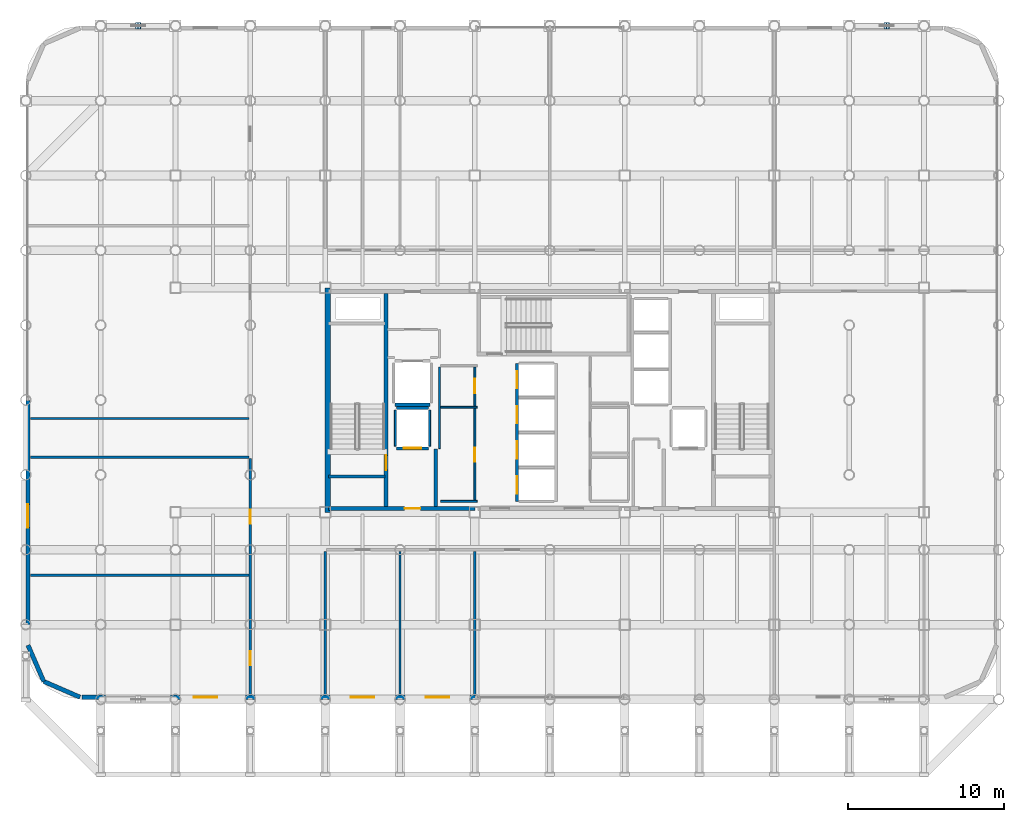
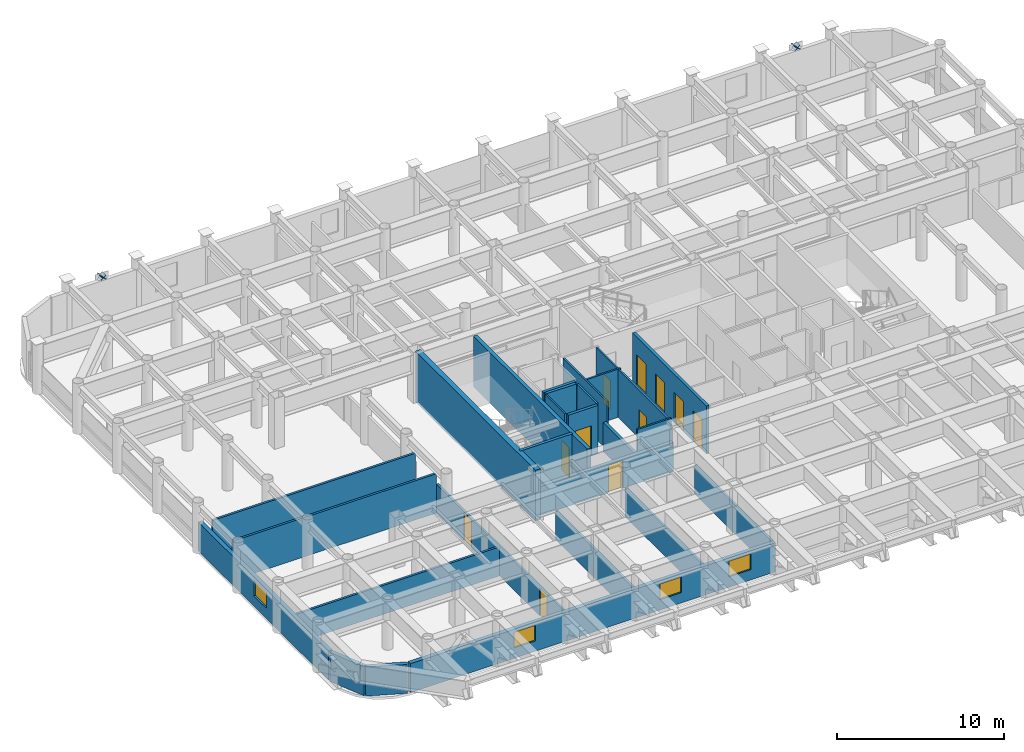
# One storey, part 20 of 24: 26 walls, 11 doors, 4 plates, 4 windows, 15 openings.
"""IFC4 building model written with IfcOpenShell, lengths in metres."""

from ifc_helpers import new_model, si_unit, direction, frame, frame_2d, origin, place, context, subcontext, project, spatial, polyline, rectangle, outline, extrude, material, layer, layer_set, type_object, element, fill, save


model = new_model("IFC4")

# Units and contexts
model_context = context("Model", 3, precision=1e-05, world=origin(), true_north=direction((0.0, 1.0)))
body_context = subcontext(model_context, "Body", "Model", "MODEL_VIEW")
ifc_project = project(units=[si_unit("LENGTHUNIT", "METRE"), si_unit("AREAUNIT", "SQUARE_METRE"), si_unit("VOLUMEUNIT", "CUBIC_METRE"), si_unit("PLANEANGLEUNIT", "RADIAN"), si_unit("MASSUNIT", "GRAM", prefix="KILO")], contexts=[model_context])

# Site, building, storey
site_placement = place(None, origin())
site = spatial("IfcSite", under=ifc_project, at=site_placement, CompositionType="ELEMENT")
building_placement = place(site_placement, origin())
building = spatial("IfcBuilding", under=site, at=building_placement, Name="Kallvorn Hotel Tower", CompositionType="ELEMENT")
storey_placement = place(building_placement, frame((0.0, 0.0, 150.699951171875)))
storey = spatial("IfcBuildingStorey", under=building, at=storey_placement, Name="L37", CompositionType="ELEMENT", Elevation=150.699951171875)

# Plates
ifc_material_1 = material(Name="Structural steel S355JR", Category="steel")
ifc_layer_1 = layer(ifc_material_1, 0.030029296875)
ifc_layer_set_1 = layer_set([ifc_layer_1], Name="PLT_CAP_30")
plate_type = type_object("IfcPlateType", Name="PLT_CAP_30", PredefinedType="SHEET", material=ifc_layer_set_1)
plate_1_placement = place(storey_placement, frame((-26.227294921875, 23.7822265625, 2.876708984375), z_axis=(0.646720691081, 0.0, 0.762726915565), x_axis=(0.0, 1.0, 0.0)))
element("IfcPlate", 1, at=plate_1_placement, inside=storey, type_object=plate_type, Name="EXO-L37-N1A End Cap Plate B", PredefinedType="SHEET", context=body_context, shape_type="SweptSolid", body=[
    extrude(outline(polyline([(0.0, 0.0), (0.435546875, 0.0), (0.435546875, 0.4356413597636253), (0.0, 0.4356413597636253), (0.0, 0.0)])), origin(), (0.0, 0.0, -1.0), 0.030029296875),
])
plate_2_placement = place(storey_placement, frame((-26.572509765625, 24.2177734375, 2.876708984375), z_axis=(-0.646997204148, 0.0, 0.762492372306), x_axis=(0.0, -1.0, 0.0)))
element("IfcPlate", 2, at=plate_2_placement, inside=storey, type_object=plate_type, Name="EXO-L37-N1B End Cap Plate B", PredefinedType="SHEET", context=body_context, shape_type="SweptSolid", body=[
    extrude(outline(polyline([(0.0, 0.0), (0.435546875, 0.0), (0.435546875, 0.43545517576240456), (0.0, 0.43545517576240456), (0.0, 0.0)])), origin(), (0.0, 0.0, -1.0), 0.030029296875),
])
plate_3_placement = place(storey_placement, frame((21.772705078125, 23.7822265625, 2.876708984375), z_axis=(0.646720691081, 0.0, 0.762726915565), x_axis=(0.0, 1.0, 0.0)))
element("IfcPlate", 3, at=plate_3_placement, inside=storey, type_object=plate_type, Name="EXO-L37-N2A End Cap Plate B", PredefinedType="SHEET", context=body_context, shape_type="SweptSolid", body=[
    extrude(outline(polyline([(0.0, 0.0), (0.435546875, 0.0), (0.435546875, 0.4356413597636253), (0.0, 0.4356413597636253), (0.0, 0.0)])), origin(), (0.0, 0.0, -1.0), 0.030029296875),
])
plate_4_placement = place(storey_placement, frame((21.427490234375, 24.2177734375, 2.876708984375), z_axis=(-0.646997204148, 0.0, 0.762492372306), x_axis=(0.0, -1.0, 0.0)))
element("IfcPlate", 4, at=plate_4_placement, inside=storey, type_object=plate_type, Name="EXO-L37-N2B End Cap Plate B", PredefinedType="SHEET", context=body_context, shape_type="SweptSolid", body=[
    extrude(outline(polyline([(0.0, 0.0), (0.435546875, 0.0), (0.435546875, 0.43545517576240456), (0.0, 0.43545517576240456), (0.0, 0.0)])), origin(), (0.0, 0.0, -1.0), 0.030029296875),
])

# Walls
ifc_material_2 = material(Name="Concrete C50/60", Category="concrete")
ifc_layer_2 = layer(ifc_material_2, 0.35009765625)
ifc_layer_set_2 = layer_set([ifc_layer_2], Name="WL_CORE_350")
wall_type_1 = type_object("IfcWallType", Name="WL_CORE_350", PredefinedType="SHEAR", material=ifc_layer_set_2)
wall_1_placement = place(storey_placement, frame((-14.239990234375, -7.199951171875, -0.179931640625), z_axis=(0.0, 0.0, 1.0), x_axis=(0.0, 1.0, 0.0)))
element("IfcWall", 5, at=wall_1_placement, inside=storey, type_object=wall_type_1, Name="L37 Core West Shear Wall", PredefinedType="SHEAR", context=body_context, shape_type="SweptSolid", body=[
    extrude(rectangle(XDim=14.39990234375, YDim=0.35009765625, at=frame_2d((7.199951171875, 0.0))), origin(), (0.0, 0.0, 1.0), 3.699951171875),
])
ifc_material_3 = material(Name="Precast basalt-clad insulated concrete wall C40/50", Category="masonry")
ifc_layer_3 = layer(ifc_material_3, 0.280029296875)
ifc_layer_set_3 = layer_set([ifc_layer_3], Name="WL_EXT_LOGGIA_280")
wall_type_2 = type_object("IfcWallType", Name="WL_EXT_LOGGIA_280", PredefinedType="SOLIDWALL", material=ifc_layer_set_3)
wall_2_placement = place(storey_placement, frame((-33.4580078125, -15.720703125, 0.0), z_axis=(0.0, 0.0, 1.0), x_axis=(0.398792985289, -0.917040977756, 0.0)))
element("IfcWall", 6, at=wall_2_placement, inside=storey, type_object=wall_type_2, Name="L37 Rounded Corner Exterior Wall SW1", PredefinedType="SOLIDWALL", context=body_context, shape_type="SweptSolid", body=[
    extrude(rectangle(XDim=2.536376953125, YDim=0.280029296875, at=frame_2d((1.26806640625, 0.0))), origin(), (0.0, 0.0, 1.0), 2.1201171875),
])
wall_3_placement = place(storey_placement, frame((-32.446533203125, -18.046630859375, 0.0), z_axis=(0.0, 0.0, 1.0), x_axis=(0.917060872934, -0.398747232384, 0.0)))
element("IfcWall", 7, at=wall_3_placement, inside=storey, type_object=wall_type_2, Name="L37 Rounded Corner Exterior Wall SW2", PredefinedType="SOLIDWALL", context=body_context, shape_type="SweptSolid", body=[
    extrude(rectangle(XDim=2.5361328125, YDim=0.280029296875, at=frame_2d((1.26806640625, 0.0))), origin(), (0.0, 0.0, 1.0), 2.1201171875),
])

# Wall, openings, windows
wall_4_placement = place(storey_placement, frame((-30.0, -19.06005859375, 0.0), z_axis=(0.0, 0.0, 1.0), x_axis=(1.0, 0.0, 0.0)))
wall_4 = element("IfcWall", 8, at=wall_4_placement, inside=storey, type_object=wall_type_2, Name="L37 Exterior Envelope Wall EW-L37-SW", PredefinedType="SOLIDWALL", context=body_context, shape_type="SweptSolid", body=[
    extrude(rectangle(XDim=25.25, YDim=0.280029296875, at=frame_2d((12.625, 0.0))), origin(), (0.0, 0.0, 1.0), 2.1201171875),
])
opening_1_placement = place(wall_4_placement, frame((7.1630859375, 0.0, 0.75)))
opening_1 = element("IfcOpeningElement", 9, at=opening_1_placement, cuts=wall_4, Name="Opening W05A", PredefinedType="OPENING", context=body_context, shape_type="SweptSolid", body=[
    extrude(rectangle(XDim=1.5, YDim=1.14990234375, at=frame_2d((0.75, 0.574951171875))), frame((0.0, 0.155029296875, 0.0), z_axis=(0.0, -1.0, 0.0), x_axis=(1.0, 0.0, 0.0)), (0.0, 0.0, 1.0), 0.31005859375),
])
opening_2_placement = place(wall_4_placement, frame((17.25, 0.0, 0.75)))
opening_2 = element("IfcOpeningElement", 10, at=opening_2_placement, cuts=wall_4, Name="Opening W05A", PredefinedType="OPENING", context=body_context, shape_type="SweptSolid", body=[
    extrude(rectangle(XDim=1.5, YDim=1.14990234375, at=frame_2d((0.75, 0.574951171875))), frame((0.0, 0.155029296875, 0.0), z_axis=(0.0, -1.0, 0.0), x_axis=(1.0, 0.0, 0.0)), (0.0, 0.0, 1.0), 0.31005859375),
])
opening_3_placement = place(wall_4_placement, frame((22.050048828125, 0.0, 0.75)))
opening_3 = element("IfcOpeningElement", 11, at=opening_3_placement, cuts=wall_4, Name="Opening W05A", PredefinedType="OPENING", context=body_context, shape_type="SweptSolid", body=[
    extrude(rectangle(XDim=1.5, YDim=1.14990234375, at=frame_2d((0.75, 0.574951171875))), frame((0.0, 0.155029296875, 0.0), z_axis=(0.0, -1.0, 0.0), x_axis=(1.0, 0.0, 0.0)), (0.0, 0.0, 1.0), 0.31005859375),
])
ifc_material_4 = material(Name="Double-glazed low-e solar-control dark glass", Category="glass")
window_type = type_object("IfcWindowType", Name="WN_HTL_1500x1150", PartitioningType="SINGLE_PANEL", PredefinedType="WINDOW", material=ifc_material_4)
window_1_placement = place(opening_1_placement, origin())
window_1 = element("IfcWindow", 12, at=window_1_placement, inside=storey, type_object=window_type, Name="L37 Guestroom Exterior Window 01", OverallHeight=1.14990234375, OverallWidth=1.5, PartitioningType="SINGLE_PANEL", PredefinedType="WINDOW", context=body_context, shape_type="SweptSolid", body=[
    extrude(rectangle(XDim=1.5, YDim=1.14990234375, at=frame_2d((0.75, 0.574951171875))), frame((0.0, 0.030029296875, 0.0), z_axis=(0.0, -1.0, 0.0), x_axis=(1.0, 0.0, 0.0)), (0.0, 0.0, 1.0), 0.06005859375),
])
fill(opening_1, window_1)
window_2_placement = place(opening_2_placement, origin())
window_2 = element("IfcWindow", 13, at=window_2_placement, inside=storey, type_object=window_type, Name="L37 Guestroom Exterior Window 06", OverallHeight=1.14990234375, OverallWidth=1.5, PartitioningType="SINGLE_PANEL", PredefinedType="WINDOW", context=body_context, shape_type="SweptSolid", body=[
    extrude(rectangle(XDim=1.5, YDim=1.14990234375, at=frame_2d((0.75, 0.574951171875))), frame((0.0, 0.030029296875, 0.0), z_axis=(0.0, -1.0, 0.0), x_axis=(1.0, 0.0, 0.0)), (0.0, 0.0, 1.0), 0.06005859375),
])
fill(opening_2, window_2)
window_3_placement = place(opening_3_placement, origin())
window_3 = element("IfcWindow", 14, at=window_3_placement, inside=storey, type_object=window_type, Name="L37 Guestroom Exterior Window 07", OverallHeight=1.14990234375, OverallWidth=1.5, PartitioningType="SINGLE_PANEL", PredefinedType="WINDOW", context=body_context, shape_type="SweptSolid", body=[
    extrude(rectangle(XDim=1.5, YDim=1.14990234375, at=frame_2d((0.75, 0.574951171875))), frame((0.0, 0.030029296875, 0.0), z_axis=(0.0, -1.0, 0.0), x_axis=(1.0, 0.0, 0.0)), (0.0, 0.0, 1.0), 0.06005859375),
])
fill(opening_3, window_3)

# Wall, opening, window
wall_5_placement = place(storey_placement, frame((-33.4599609375, -15.60009765625, 0.0), z_axis=(0.0, 0.0, 1.0), x_axis=(0.0, 1.0, 0.0)))
wall_5 = element("IfcWall", 15, at=wall_5_placement, inside=storey, type_object=wall_type_2, Name="L37 Exterior Envelope Wall EW-L37-WS", PredefinedType="SOLIDWALL", context=body_context, shape_type="SweptSolid", body=[
    extrude(rectangle(XDim=15.580078125, YDim=0.280029296875, at=frame_2d((7.7900390625, 0.0))), origin(), (0.0, 0.0, 1.0), 2.1201171875),
])
opening_4_placement = place(wall_5_placement, frame((7.412109375, 0.0, 0.75)))
opening_4 = element("IfcOpeningElement", 16, at=opening_4_placement, cuts=wall_5, Name="Opening W05A", PredefinedType="OPENING", context=body_context, shape_type="SweptSolid", body=[
    extrude(rectangle(XDim=1.5, YDim=1.14990234375, at=frame_2d((0.75, 0.574951171875))), frame((0.0, 0.155029296875, 0.0), z_axis=(0.0, -1.0, 0.0), x_axis=(1.0, 0.0, 0.0)), (0.0, 0.0, 1.0), 0.31005859375),
])
window_4_placement = place(opening_4_placement, origin())
window_4 = element("IfcWindow", 17, at=window_4_placement, inside=storey, type_object=window_type, Name="L37 Flank Wing Window 02", OverallHeight=1.14990234375, OverallWidth=1.5, PartitioningType="SINGLE_PANEL", PredefinedType="WINDOW", context=body_context, shape_type="SweptSolid", body=[
    extrude(rectangle(XDim=1.5, YDim=1.14990234375, at=frame_2d((0.75, 0.574951171875))), frame((0.0, 0.030029296875, 0.0), z_axis=(0.0, -1.0, 0.0), x_axis=(1.0, 0.0, 0.0)), (0.0, 0.0, 1.0), 0.06005859375),
])
fill(opening_4, window_4)

# Walls
ifc_material_5 = material(Name="Concrete C40/50", Category="concrete")
ifc_layer_4 = layer(ifc_material_5, 0.219970703125)
ifc_layer_set_4 = layer_set([ifc_layer_4], Name="WL_FFL_220")
wall_type_3 = type_object("IfcWallType", Name="WL_FFL_220", PredefinedType="SOLIDWALL", material=ifc_layer_set_4)
wall_6_placement = place(storey_placement, frame((-7.300048828125, -6.820068359375, 0.0), z_axis=(0.0, 0.0, 1.0), x_axis=(0.0, 1.0, 0.0)))
element("IfcWall", 18, at=wall_6_placement, inside=storey, type_object=wall_type_3, Name="L37 Firefighting Lobby West Divider Wall", PredefinedType="SOLIDWALL", context=body_context, shape_type="SweptSolid", body=[
    extrude(rectangle(XDim=3.670166015625, YDim=0.219970703125, at=frame_2d((1.8349609375, 0.0))), origin(), (0.0, 0.0, 1.0), 2.1201171875),
])
ifc_material_6 = material(Name="Concrete C40/50", Category="concrete")
ifc_layer_5 = layer(ifc_material_6, 0.199951171875)
ifc_layer_set_5 = layer_set([ifc_layer_5], Name="WL_HOIST_200")
wall_type_4 = type_object("IfcWallType", Name="WL_HOIST_200", PredefinedType="SOLIDWALL", material=ifc_layer_set_5)
wall_7_placement = place(storey_placement, frame((-14.199951171875, -4.89990234375, -0.179931640625), z_axis=(0.0, 0.0, 1.0), x_axis=(1.0, 0.0, 0.0)))
element("IfcWall", 19, at=wall_7_placement, inside=storey, type_object=wall_type_4, Name="L37 Stair ST1 South Wall", PredefinedType="SOLIDWALL", context=body_context, shape_type="SweptSolid", body=[
    extrude(rectangle(XDim=3.64990234375, YDim=0.199951171875, at=frame_2d((1.824951171875, 0.0))), origin(), (0.0, 0.0, 1.0), 3.699951171875),
])

# Wall, openings, doors
wall_8_placement = place(storey_placement, frame((-2.10009765625, -6.5, 0.0), z_axis=(0.0, 0.0, 1.0), x_axis=(0.0, 1.0, 0.0)))
wall_8 = element("IfcWall", 20, at=wall_8_placement, inside=storey, type_object=wall_type_4, Name="L37 Lift Bank B2 Landing Wall", PredefinedType="SOLIDWALL", context=body_context, shape_type="SweptSolid", body=[
    extrude(rectangle(XDim=8.85009765625, YDim=0.199951171875, at=frame_2d((4.425048828125, 0.0))), origin(), (0.0, 0.0, 1.0), 3.52001953125),
])
opening_5_placement = place(wall_8_placement, frame((0.5, 0.0, 0.0)))
opening_5 = element("IfcOpeningElement", 21, at=opening_5_placement, cuts=wall_8, Name="Opening LD-PL-05", PredefinedType="OPENING", context=body_context, shape_type="SweptSolid", body=[
    extrude(rectangle(XDim=1.10009765625, YDim=2.199951171875, at=frame_2d((0.550048828125, 1.10009765625))), frame((0.0, 0.114990234375, 0.0), z_axis=(0.0, -1.0, 0.0), x_axis=(1.0, 0.0, 0.0)), (0.0, 0.0, 1.0), 0.22998046875),
])
opening_6_placement = place(wall_8_placement, frame((2.75, 0.0, 0.0)))
opening_6 = element("IfcOpeningElement", 22, at=opening_6_placement, cuts=wall_8, Name="Opening LD-PL-06", PredefinedType="OPENING", context=body_context, shape_type="SweptSolid", body=[
    extrude(rectangle(XDim=1.10009765625, YDim=2.199951171875, at=frame_2d((0.550048828125, 1.10009765625))), frame((0.0, 0.114990234375, 0.0), z_axis=(0.0, -1.0, 0.0), x_axis=(1.0, 0.0, 0.0)), (0.0, 0.0, 1.0), 0.22998046875),
])
opening_7_placement = place(wall_8_placement, frame((5.0, 0.0, 0.0)))
opening_7 = element("IfcOpeningElement", 23, at=opening_7_placement, cuts=wall_8, Name="Opening LD-PL-07", PredefinedType="OPENING", context=body_context, shape_type="SweptSolid", body=[
    extrude(rectangle(XDim=1.10009765625, YDim=2.199951171875, at=frame_2d((0.550048828125, 1.10009765625))), frame((0.0, 0.114990234375, 0.0), z_axis=(0.0, -1.0, 0.0), x_axis=(1.0, 0.0, 0.0)), (0.0, 0.0, 1.0), 0.22998046875),
])
opening_8_placement = place(wall_8_placement, frame((7.25, 0.0, 0.0)))
opening_8 = element("IfcOpeningElement", 24, at=opening_8_placement, cuts=wall_8, Name="Opening LD-PL-08", PredefinedType="OPENING", context=body_context, shape_type="SweptSolid", body=[
    extrude(rectangle(XDim=1.10009765625, YDim=2.199951171875, at=frame_2d((0.550048828125, 1.10009765625))), frame((0.0, 0.114990234375, 0.0), z_axis=(0.0, -1.0, 0.0), x_axis=(1.0, 0.0, 0.0)), (0.0, 0.0, 1.0), 0.22998046875),
])
ifc_material_7 = material(Name="Brushed stainless-steel automatic sliding lift landing door", Category="steel")
door_type_1 = type_object("IfcDoorType", Name="LD_PASS_1100x2200", OperationType="SLIDING_TO_LEFT", PredefinedType="DOOR", material=ifc_material_7)
door_1_placement = place(opening_5_placement, origin())
door_1 = element("IfcDoor", 25, at=door_1_placement, inside=storey, type_object=door_type_1, Name="L37 Lift Landing Sliding Door LD-PL-05", OperationType="SLIDING_TO_LEFT", OverallHeight=2.199951171875, OverallWidth=1.10009765625, PredefinedType="DOOR", context=body_context, shape_type="SweptSolid", body=[
    extrude(rectangle(XDim=1.10009765625, YDim=2.199951171875, at=frame_2d((0.550048828125, 1.10009765625))), frame((0.0, 0.02490234375, 0.0), z_axis=(0.0, -1.0, 0.0), x_axis=(1.0, 0.0, 0.0)), (0.0, 0.0, 1.0), 0.050048828125),
])
fill(opening_5, door_1)
door_2_placement = place(opening_6_placement, origin())
door_2 = element("IfcDoor", 26, at=door_2_placement, inside=storey, type_object=door_type_1, Name="L37 Lift Landing Sliding Door LD-PL-06", OperationType="SLIDING_TO_LEFT", OverallHeight=2.199951171875, OverallWidth=1.10009765625, PredefinedType="DOOR", context=body_context, shape_type="SweptSolid", body=[
    extrude(rectangle(XDim=1.10009765625, YDim=2.199951171875, at=frame_2d((0.550048828125, 1.10009765625))), frame((0.0, 0.02490234375, 0.0), z_axis=(0.0, -1.0, 0.0), x_axis=(1.0, 0.0, 0.0)), (0.0, 0.0, 1.0), 0.050048828125),
])
fill(opening_6, door_2)
door_3_placement = place(opening_7_placement, origin())
door_3 = element("IfcDoor", 27, at=door_3_placement, inside=storey, type_object=door_type_1, Name="L37 Lift Landing Sliding Door LD-PL-07", OperationType="SLIDING_TO_LEFT", OverallHeight=2.199951171875, OverallWidth=1.10009765625, PredefinedType="DOOR", context=body_context, shape_type="SweptSolid", body=[
    extrude(rectangle(XDim=1.10009765625, YDim=2.199951171875, at=frame_2d((0.550048828125, 1.10009765625))), frame((0.0, 0.02490234375, 0.0), z_axis=(0.0, -1.0, 0.0), x_axis=(1.0, 0.0, 0.0)), (0.0, 0.0, 1.0), 0.050048828125),
])
fill(opening_7, door_3)
door_4_placement = place(opening_8_placement, origin())
door_4 = element("IfcDoor", 28, at=door_4_placement, inside=storey, type_object=door_type_1, Name="L37 Lift Landing Sliding Door LD-PL-08", OperationType="SLIDING_TO_LEFT", OverallHeight=2.199951171875, OverallWidth=1.10009765625, PredefinedType="DOOR", context=body_context, shape_type="SweptSolid", body=[
    extrude(rectangle(XDim=1.10009765625, YDim=2.199951171875, at=frame_2d((0.550048828125, 1.10009765625))), frame((0.0, 0.02490234375, 0.0), z_axis=(0.0, -1.0, 0.0), x_axis=(1.0, 0.0, 0.0)), (0.0, 0.0, 1.0), 0.050048828125),
])
fill(opening_8, door_4)

# Wall, opening, door
wall_9_placement = place(storey_placement, frame((-9.820068359375, -3.10009765625, 0.0), z_axis=(0.0, 0.0, 1.0), x_axis=(1.0, 0.0, 0.0)))
wall_9 = element("IfcWall", 29, at=wall_9_placement, inside=storey, type_object=wall_type_4, Name="L37 FL-1 Landing Wall", PredefinedType="SOLIDWALL", context=body_context, shape_type="SweptSolid", body=[
    extrude(rectangle(XDim=2.0400390625, YDim=0.199951171875, at=frame_2d((1.02001953125, 0.0))), origin(), (0.0, 0.0, 1.0), 3.52001953125),
])
opening_9_placement = place(wall_9_placement, frame((0.469970703125, 0.0, 0.0)))
opening_9 = element("IfcOpeningElement", 30, at=opening_9_placement, cuts=wall_9, Name="Opening LD-FL-1", PredefinedType="OPENING", context=body_context, shape_type="SweptSolid", body=[
    extrude(rectangle(XDim=1.10009765625, YDim=2.199951171875, at=frame_2d((0.550048828125, 1.10009765625))), frame((0.0, 0.114990234375, 0.0), z_axis=(0.0, -1.0, 0.0), x_axis=(1.0, 0.0, 0.0)), (0.0, 0.0, 1.0), 0.22998046875),
])
door_5_placement = place(opening_9_placement, origin())
door_5 = element("IfcDoor", 31, at=door_5_placement, inside=storey, type_object=door_type_1, Name="L37 Lift Landing Sliding Door LD-FL-1", OperationType="SLIDING_TO_LEFT", OverallHeight=2.199951171875, OverallWidth=1.10009765625, PredefinedType="DOOR", context=body_context, shape_type="SweptSolid", body=[
    extrude(rectangle(XDim=1.10009765625, YDim=2.199951171875, at=frame_2d((0.550048828125, 1.10009765625))), frame((0.0, 0.02490234375, 0.0), z_axis=(0.0, -1.0, 0.0), x_axis=(1.0, 0.0, 0.0)), (0.0, 0.0, 1.0), 0.050048828125),
])
fill(opening_9, door_5)

# Walls
wall_10_placement = place(storey_placement, frame((-9.820068359375, -0.5, 0.0), z_axis=(0.0, 0.0, 1.0), x_axis=(1.0, 0.0, 0.0)))
element("IfcWall", 32, at=wall_10_placement, inside=storey, type_object=wall_type_4, Name="L37 FL-1 Rear Shaft Wall", PredefinedType="SOLIDWALL", context=body_context, shape_type="SweptSolid", body=[
    extrude(rectangle(XDim=2.0400390625, YDim=0.199951171875, at=frame_2d((1.02001953125, 0.0))), origin(), (0.0, 0.0, 1.0), 3.52001953125),
])
wall_11_placement = place(storey_placement, frame((-9.919921875, -0.300048828125, 0.0), z_axis=(0.0, 0.0, 1.0), x_axis=(1.0, 0.0, 0.0)))
element("IfcWall", 33, at=wall_11_placement, inside=storey, type_object=wall_type_4, Name="L37 SV-01 Rear Shaft Wall", PredefinedType="SOLIDWALL", context=body_context, shape_type="SweptSolid", body=[
    extrude(rectangle(XDim=2.239990234375, YDim=0.199951171875, at=frame_2d((1.1201171875, 0.0))), origin(), (0.0, 0.0, 1.0), 3.52001953125),
])
ifc_material_8 = material(Name="Fire-rated double-layer acoustic gypsum drywall EI 60")
ifc_layer_6 = layer(ifc_material_8, 0.1201171875)
ifc_layer_set_6 = layer_set([ifc_layer_6], Name="WL_INT_120")
wall_type_5 = type_object("IfcWallType", Name="WL_INT_120", PredefinedType="PARTITIONING", material=ifc_layer_set_6)
for number, where, z_axis, x_axis, name in (
    (34, (-9.89990234375, -2.9599609375, 0.0), (0.0, 0.0, 1.0), (0.0, 1.0, 0.0), "L37 FL-1 West Shaft Wall"),
    (35, (-7.699951171875, -2.9599609375, 0.0), (0.0, 0.0, 1.0), (0.0, 1.0, 0.0), "L37 FL-1 East Shaft Wall"),
):
    element("IfcWall", number, at=place(storey_placement, frame(where, z_axis=z_axis, x_axis=x_axis)), inside=storey, type_object=wall_type_5, Name=name, PredefinedType="PARTITIONING", context=body_context, shape_type="SweptSolid", body=[
        extrude(rectangle(XDim=2.320068359375, YDim=0.1201171875, at=frame_2d((1.16015625, 0.0))), origin(), (0.0, 0.0, 1.0), 3.52001953125),
    ])
for number, where, z_axis, x_axis, name in (
    (36, (-7.0, -6.5, 0.0), (0.0, 0.0, 1.0), (1.0, 0.0, 0.0), "L37 Recaptured Full-Depth Sommelier Store Partition"),
    (37, (-7.0, -0.466796875, 0.0), (0.0, 0.0, 1.0), (1.0, 0.0, 0.0), "L37 Recaptured Full-Depth Sommelier Store Partition"),
):
    element("IfcWall", number, at=place(storey_placement, frame(where, z_axis=z_axis, x_axis=x_axis)), inside=storey, type_object=wall_type_5, Name=name, PredefinedType="PARTITIONING", context=body_context, shape_type="SweptSolid", body=[
        extrude(rectangle(XDim=2.35009765625, YDim=0.1201171875, at=frame_2d((1.175048828125, 0.0))), origin(), (0.0, 0.0, 1.0), 3.52001953125),
    ])
wall_12_placement = place(storey_placement, frame((-7.066650390625, -3.110107421875, 0.0), z_axis=(0.0, 0.0, 1.0), x_axis=(0.0, 1.0, 0.0)))
element("IfcWall", 38, at=wall_12_placement, inside=storey, type_object=wall_type_5, Name="L37 Recaptured Full-Depth Sommelier Store Partition", PredefinedType="PARTITIONING", context=body_context, shape_type="SweptSolid", body=[
    extrude(rectangle(XDim=5.22509765625, YDim=0.1201171875, at=frame_2d((2.612548828125, 0.0))), origin(), (0.0, 0.0, 1.0), 3.52001953125),
])

# Wall, openings, doors
wall_13_placement = place(storey_placement, frame((-4.800048828125, -6.4150390625, 0.0), z_axis=(0.0, 0.0, 1.0), x_axis=(0.0, 1.0, 0.0)))
wall_13 = element("IfcWall", 39, at=wall_13_placement, inside=storey, type_object=wall_type_5, Name="L37 Recaptured Full-Depth Sommelier Store Partition", PredefinedType="PARTITIONING", context=body_context, shape_type="SweptSolid", body=[
    extrude(rectangle(XDim=8.530029296875, YDim=0.1201171875, at=frame_2d((4.26513671875, 0.0))), origin(), (0.0, 0.0, 1.0), 3.52001953125),
])
opening_10_placement = place(wall_13_placement, frame((2.465087890625, 0.0, 0.0)))
opening_10 = element("IfcOpeningElement", 40, at=opening_10_placement, cuts=wall_13, Name="Opening SVD1", PredefinedType="OPENING", context=body_context, shape_type="SweptSolid", body=[
    extrude(rectangle(XDim=0.89990234375, YDim=2.10009765625, at=frame_2d((0.449951171875, 1.050048828125))), frame((0.0, 0.074951171875, 0.0), z_axis=(0.0, -1.0, 0.0), x_axis=(1.0, 0.0, 0.0)), (0.0, 0.0, 1.0), 0.150146484375),
])
opening_11_placement = place(wall_13_placement, frame((6.864990234375, 0.0, 0.0)))
opening_11 = element("IfcOpeningElement", 41, at=opening_11_placement, cuts=wall_13, Name="Opening SVD1", PredefinedType="OPENING", context=body_context, shape_type="SweptSolid", body=[
    extrude(rectangle(XDim=0.89990234375, YDim=2.10009765625, at=frame_2d((0.449951171875, 1.050048828125))), frame((0.0, 0.074951171875, 0.0), z_axis=(0.0, -1.0, 0.0), x_axis=(1.0, 0.0, 0.0)), (0.0, 0.0, 1.0), 0.150146484375),
])
ifc_material_9 = material(Name="Galvanised painted steel fire-rated door assembly", Category="steel")
door_type_2 = type_object("IfcDoorType", Name="DR_SERV_900x2100", OperationType="NOTDEFINED", PredefinedType="DOOR", material=ifc_material_9)
door_6_placement = place(opening_10_placement, origin())
door_6 = element("IfcDoor", 42, at=door_6_placement, inside=storey, type_object=door_type_2, Name="L37 Recaptured Full-Depth Sommelier Store Door", OperationType="SINGLE_SWING_RIGHT", OverallHeight=2.10009765625, OverallWidth=0.89990234375, PredefinedType="DOOR", context=body_context, shape_type="SweptSolid", body=[
    extrude(rectangle(XDim=0.89990234375, YDim=2.10009765625, at=frame_2d((0.449951171875, 1.050048828125))), frame((0.0, 0.02490234375, 0.0), z_axis=(0.0, -1.0, 0.0), x_axis=(1.0, 0.0, 0.0)), (0.0, 0.0, 1.0), 0.050048828125),
])
fill(opening_10, door_6)
door_7_placement = place(opening_11_placement, origin())
door_7 = element("IfcDoor", 43, at=door_7_placement, inside=storey, type_object=door_type_2, Name="L37 Recaptured Housekeeping Prep Room Door", OperationType="SINGLE_SWING_LEFT", OverallHeight=2.10009765625, OverallWidth=0.89990234375, PredefinedType="DOOR", context=body_context, shape_type="SweptSolid", body=[
    extrude(rectangle(XDim=0.89990234375, YDim=2.10009765625, at=frame_2d((0.449951171875, 1.050048828125))), frame((0.0, 0.02490234375, 0.0), z_axis=(0.0, -1.0, 0.0), x_axis=(1.0, 0.0, 0.0)), (0.0, 0.0, 1.0), 0.050048828125),
])
fill(opening_11, door_7)

# Walls
ifc_material_10 = material(Name="Fire-rated double-layer acoustic gypsum drywall EI 60")
ifc_layer_7 = layer(ifc_material_10, 0.14990234375)
ifc_layer_set_7 = layer_set([ifc_layer_7], Name="WL_PART_150")
wall_type_6 = type_object("IfcWallType", Name="WL_PART_150", PredefinedType="PARTITIONING", material=ifc_layer_set_7)
wall_14_placement = place(storey_placement, frame((-33.31005859375, -11.235107421875, 0.0), z_axis=(0.0, 0.0, 1.0), x_axis=(1.0, 0.0, 0.0)))
element("IfcWall", 44, at=wall_14_placement, inside=storey, type_object=wall_type_6, Name="L37 L37 South-West Facade Cocktail Bar Partition", PredefinedType="PARTITIONING", context=body_context, shape_type="SweptSolid", body=[
    extrude(rectangle(XDim=14.030029296875, YDim=0.14990234375, at=frame_2d((7.01513671875, 0.0))), origin(), (0.0, 0.0, 1.0), 2.1201171875),
])
for number, where, z_axis, x_axis, name in (
    (45, (-33.31005859375, -3.659912109375, 0.0), (0.0, 0.0, 1.0), (1.0, 0.0, 0.0), "L37 L37 South-West Spine Boutique Shop Partition"),
    (46, (-33.31005859375, -1.179931640625, 0.0), (0.0, 0.0, 1.0), (1.0, 0.0, 0.0), "L37 L37 North-West Spine Pastry Cafe Partition"),
):
    element("IfcWall", number, at=place(storey_placement, frame(where, z_axis=z_axis, x_axis=x_axis)), inside=storey, type_object=wall_type_6, Name=name, PredefinedType="PARTITIONING", context=body_context, shape_type="SweptSolid", body=[
        extrude(rectangle(XDim=14.030029296875, YDim=0.14990234375, at=frame_2d((7.01513671875, 0.0))), origin(), (0.0, 0.0, 1.0), 2.8701171875),
    ])

# Wall, openings, doors
wall_15_placement = place(storey_placement, frame((-19.199951171875, -18.909912109375, 0.0), z_axis=(0.0, 0.0, 1.0), x_axis=(0.0, 1.0, 0.0)))
wall_15 = element("IfcWall", 47, at=wall_15_placement, inside=storey, type_object=wall_type_6, Name="L37 L37 South-West Facade Cocktail Bar Partition", PredefinedType="PARTITIONING", context=body_context, shape_type="SweptSolid", body=[
    extrude(rectangle(XDim=15.164794921875, YDim=0.14990234375, at=frame_2d((7.58251953125, 0.0))), origin(), (0.0, 0.0, 1.0), 2.1201171875),
])
opening_12_placement = place(wall_15_placement, frame((1.8984375, 0.0, 0.0)))
opening_12 = element("IfcOpeningElement", 48, at=opening_12_placement, cuts=wall_15, Name="Opening SVD1A", PredefinedType="OPENING", context=body_context, shape_type="SweptSolid", body=[
    extrude(rectangle(XDim=0.89990234375, YDim=2.02001953125, at=frame_2d((0.449951171875, 1.010009765625))), frame((0.0, 0.08984375, 0.0), z_axis=(0.0, -1.0, 0.0), x_axis=(1.0, 0.0, 0.0)), (0.0, 0.0, 1.0), 0.179931640625),
])
opening_13_placement = place(wall_15_placement, frame((10.98193359375, 0.0, 0.0)))
opening_13 = element("IfcOpeningElement", 49, at=opening_13_placement, cuts=wall_15, Name="Opening SVD1A", PredefinedType="OPENING", context=body_context, shape_type="SweptSolid", body=[
    extrude(rectangle(XDim=0.89990234375, YDim=2.02001953125, at=frame_2d((0.449951171875, 1.010009765625))), frame((0.0, 0.08984375, 0.0), z_axis=(0.0, -1.0, 0.0), x_axis=(1.0, 0.0, 0.0)), (0.0, 0.0, 1.0), 0.179931640625),
])
ifc_material_11 = material(Name="Galvanised painted steel fire-rated door assembly", Category="steel")
door_type_3 = type_object("IfcDoorType", Name="DR_SERV_900x2020", OperationType="NOTDEFINED", PredefinedType="DOOR", material=ifc_material_11)
door_8_placement = place(opening_12_placement, origin())
door_8 = element("IfcDoor", 50, at=door_8_placement, inside=storey, type_object=door_type_3, Name="L37 L37 South-West Facade Cocktail Bar Door", OperationType="SINGLE_SWING_LEFT", OverallHeight=2.02001953125, OverallWidth=0.89990234375, PredefinedType="DOOR", context=body_context, shape_type="SweptSolid", body=[
    extrude(rectangle(XDim=0.89990234375, YDim=2.02001953125, at=frame_2d((0.449951171875, 1.010009765625))), frame((0.0, 0.02490234375, 0.0), z_axis=(0.0, -1.0, 0.0), x_axis=(1.0, 0.0, 0.0)), (0.0, 0.0, 1.0), 0.050048828125),
])
fill(opening_12, door_8)
door_9_placement = place(opening_13_placement, origin())
door_9 = element("IfcDoor", 51, at=door_9_placement, inside=storey, type_object=door_type_3, Name="L37 L37 South-West Spine Boutique Shop Door", OperationType="SINGLE_SWING_RIGHT", OverallHeight=2.02001953125, OverallWidth=0.89990234375, PredefinedType="DOOR", context=body_context, shape_type="SweptSolid", body=[
    extrude(rectangle(XDim=0.89990234375, YDim=2.02001953125, at=frame_2d((0.449951171875, 1.010009765625))), frame((0.0, 0.02490234375, 0.0), z_axis=(0.0, -1.0, 0.0), x_axis=(1.0, 0.0, 0.0)), (0.0, 0.0, 1.0), 0.050048828125),
])
fill(opening_13, door_9)

# Walls
for number, where, z_axis, x_axis, name in (
    (52, (-14.39990234375, -18.909912109375, 0.0), (0.0, 0.0, 1.0), (0.0, 1.0, 0.0), "L37 L37 Thermal Hydrotherapy Treatment Suite 1-1 Partition"),
    (53, (-9.60009765625, -18.909912109375, 0.0), (0.0, 0.0, 1.0), (0.0, 1.0, 0.0), "L37 L37 Thermal Hydrotherapy Treatment Suite 1-1 Partition"),
    (54, (-4.800048828125, -18.909912109375, 0.0), (0.0, 0.0, 1.0), (0.0, 1.0, 0.0), "L37 L37 Restaurant Culinary Catering Kitchen 2 Partition"),
):
    element("IfcWall", number, at=place(storey_placement, frame(where, z_axis=z_axis, x_axis=x_axis)), inside=storey, type_object=wall_type_6, Name=name, PredefinedType="PARTITIONING", context=body_context, shape_type="SweptSolid", body=[
        extrude(rectangle(XDim=9.18994140625, YDim=0.14990234375, at=frame_2d((4.594970703125, 0.0))), origin(), (0.0, 0.0, 1.0), 2.1201171875),
    ])

# Wall, opening, door
ifc_material_12 = material(Name="Concrete C40/50", Category="concrete")
ifc_layer_8 = layer(ifc_material_12, 0.25)
ifc_layer_set_8 = layer_set([ifc_layer_8], Name="WL_SHAFT_250")
wall_type_7 = type_object("IfcWallType", Name="WL_SHAFT_250", PredefinedType="SOLIDWALL", material=ifc_layer_set_8)
wall_16_placement = place(storey_placement, frame((-14.199951171875, -6.949951171875, 0.0), z_axis=(0.0, 0.0, 1.0), x_axis=(1.0, 0.0, 0.0)))
wall_16 = element("IfcWall", 55, at=wall_16_placement, inside=storey, type_object=wall_type_7, Name="L37 Core South-West Wall", PredefinedType="SOLIDWALL", context=body_context, shape_type="SweptSolid", body=[
    extrude(rectangle(XDim=9.39990234375, YDim=0.25, at=frame_2d((4.699951171875, 0.0))), origin(), (0.0, 0.0, 1.0), 2.1201171875),
])
opening_14_placement = place(wall_16_placement, frame((4.89990234375, 0.0, 0.0)))
opening_14 = element("IfcOpeningElement", 56, at=opening_14_placement, cuts=wall_16, Name="Opening FD1A", PredefinedType="OPENING", context=body_context, shape_type="SweptSolid", body=[
    extrude(rectangle(XDim=1.0, YDim=2.02001953125, at=frame_2d((0.5, 1.010009765625))), frame((0.0, 0.139892578125, 0.0), z_axis=(0.0, -1.0, 0.0), x_axis=(1.0, 0.0, 0.0)), (0.0, 0.0, 1.0), 0.280029296875),
])
ifc_material_13 = material(Name="Galvanised painted steel fire-rated door assembly", Category="steel")
door_type_4 = type_object("IfcDoorType", Name="DR_FFL_1000x2020", OperationType="NOTDEFINED", PredefinedType="DOOR", material=ifc_material_13)
door_10_placement = place(opening_14_placement, origin())
door_10 = element("IfcDoor", 57, at=door_10_placement, inside=storey, type_object=door_type_4, Name="L37 Firefighting Lobby West Door", OperationType="SINGLE_SWING_RIGHT", OverallHeight=2.02001953125, OverallWidth=1.0, PredefinedType="DOOR", context=body_context, shape_type="SweptSolid", body=[
    extrude(rectangle(XDim=1.0, YDim=2.02001953125, at=frame_2d((0.5, 1.010009765625))), frame((0.0, 0.02490234375, 0.0), z_axis=(0.0, -1.0, 0.0), x_axis=(1.0, 0.0, 0.0)), (0.0, 0.0, 1.0), 0.050048828125),
])
fill(opening_14, door_10)

wall_17_placement = place(storey_placement, frame((-10.5, -6.820068359375, -0.179931640625), z_axis=(0.0, 0.0, 1.0), x_axis=(0.0, 1.0, 0.0)))
wall_17 = element("IfcWall", 58, at=wall_17_placement, inside=storey, type_object=wall_type_7, Name="L37 Stair ST1 Shaft Wall", PredefinedType="SOLIDWALL", context=body_context, shape_type="SweptSolid", body=[
    extrude(rectangle(XDim=13.64013671875, YDim=0.25, at=frame_2d((6.820068359375, 0.0))), origin(), (0.0, 0.0, 1.0), 3.699951171875),
])
opening_15_placement = place(wall_17_placement, frame((2.320068359375, 0.0, 0.179931640625)))
opening_15 = element("IfcOpeningElement", 59, at=opening_15_placement, cuts=wall_17, Name="Opening SD1", PredefinedType="OPENING", context=body_context, shape_type="SweptSolid", body=[
    extrude(rectangle(XDim=0.949951171875, YDim=2.14990234375, at=frame_2d((0.47509765625, 1.074951171875))), frame((0.0, 0.139892578125, 0.0), z_axis=(0.0, -1.0, 0.0), x_axis=(1.0, 0.0, 0.0)), (0.0, 0.0, 1.0), 0.280029296875),
])
ifc_material_14 = material(Name="Galvanised painted steel fire-rated door assembly", Category="steel")
door_type_5 = type_object("IfcDoorType", Name="DR_STAIR_950x2150", OperationType="NOTDEFINED", PredefinedType="DOOR", material=ifc_material_14)
door_11_placement = place(opening_15_placement, origin())
door_11 = element("IfcDoor", 60, at=door_11_placement, inside=storey, type_object=door_type_5, Name="L37 Exit Stair ST1 Fire Door", OperationType="SINGLE_SWING_LEFT", OverallHeight=2.14990234375, OverallWidth=0.949951171875, PredefinedType="DOOR", context=body_context, shape_type="SweptSolid", body=[
    extrude(rectangle(XDim=0.949951171875, YDim=2.14990234375, at=frame_2d((0.47509765625, 1.074951171875))), frame((0.0, 0.02490234375, 0.0), z_axis=(0.0, -1.0, 0.0), x_axis=(1.0, 0.0, 0.0)), (0.0, 0.0, 1.0), 0.050048828125),
])
fill(opening_15, door_11)

save(model, "model.ifc")
